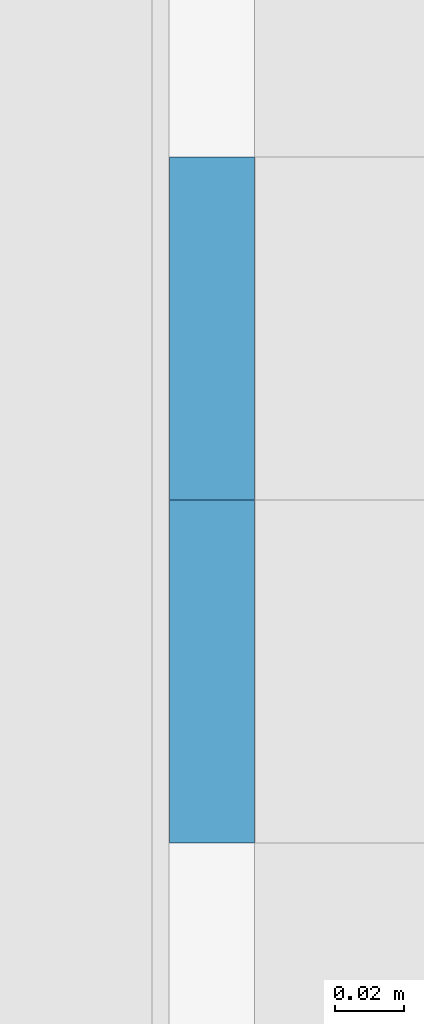
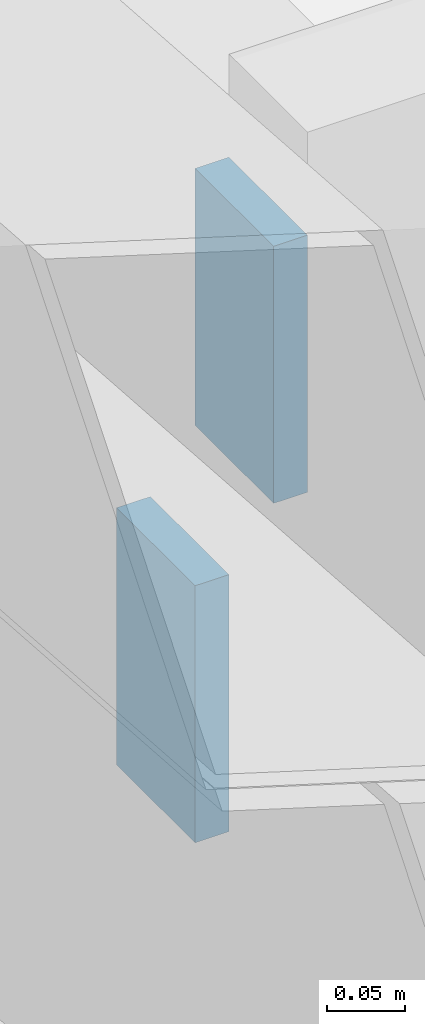
# One storey, part 71 of 84: 2 discrete accessories.
"""IFC4 building model written with IfcOpenShell, lengths in metres."""

from ifc_helpers import new_model, si_unit, direction, frame, origin, origin_2d, place, context, subcontext, project, spatial, rectangle, extrude, material, type_object, element, save


model = new_model("IFC4")

# Units and contexts
model_context = context("Model", 3, precision=1e-05, world=origin(), true_north=direction((0.0, 1.0)))
body_context = subcontext(model_context, "Body", "Model", "MODEL_VIEW")
ifc_project = project(units=[si_unit("LENGTHUNIT", "METRE"), si_unit("AREAUNIT", "SQUARE_METRE"), si_unit("VOLUMEUNIT", "CUBIC_METRE"), si_unit("PLANEANGLEUNIT", "RADIAN"), si_unit("MASSUNIT", "GRAM", prefix="KILO")], contexts=[model_context])

# Site, building, storey
site_placement = place(None, origin())
site = spatial("IfcSite", under=ifc_project, at=site_placement, CompositionType="ELEMENT")
building_placement = place(site_placement, origin())
building = spatial("IfcBuilding", under=site, at=building_placement, Name="Silverbay Arena", CompositionType="ELEMENT")
storey_placement = place(building_placement, frame((0.0, 0.0, 47.10009765625)))
storey = spatial("IfcBuildingStorey", under=building, at=storey_placement, Name="ROOF", CompositionType="ELEMENT", Elevation=47.10009765625)

# Discrete accessories
ifc_material = material(Name="Steel S355", Category="steel")
discrete_accessory_type = type_object("IfcDiscreteAccessoryType", Name="Steel bracket plate", PredefinedType="BRACKET", material=ifc_material)
for number, where, z_axis, x_axis, name in (
    (1, (180.112548828125, 85.449951171875, 12.19482421875), (0.0, 0.0, 1.0), (1.0, 0.0, 0.0), "Curtain wall packing plate"),
    (2, (180.112548828125, 85.550048828125, 11.8701171875), (0.0, 0.0, 1.0), (1.0, 0.0, 0.0), "Curtain wall packing plate"),
):
    element("IfcDiscreteAccessory", number, at=place(storey_placement, frame(where, z_axis=z_axis, x_axis=x_axis)), inside=storey, type_object=discrete_accessory_type, Name=name, PredefinedType="BRACKET", context=body_context, shape_type="SweptSolid", body=[
        extrude(rectangle(XDim=0.02490234375, YDim=0.10009765625, at=origin_2d()), origin(), (0.0, 0.0, 1.0), 0.199951171875),
    ])

save(model, "model.ifc")
